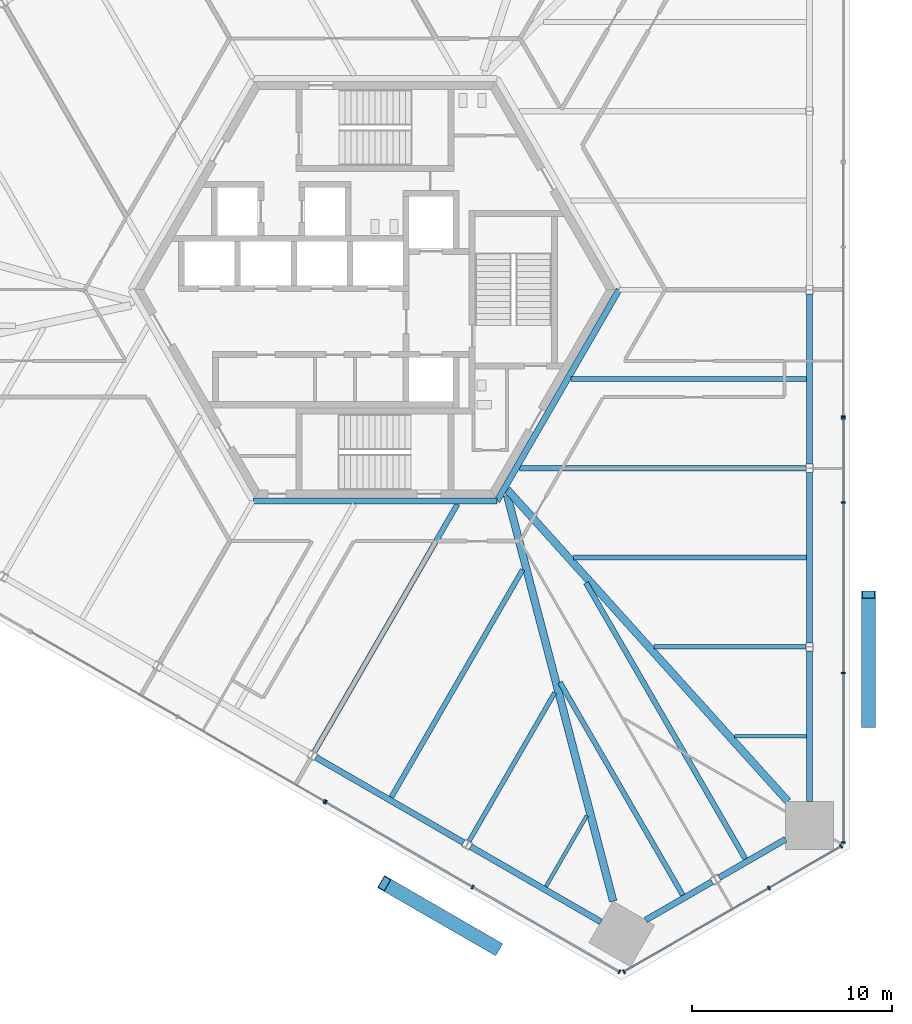
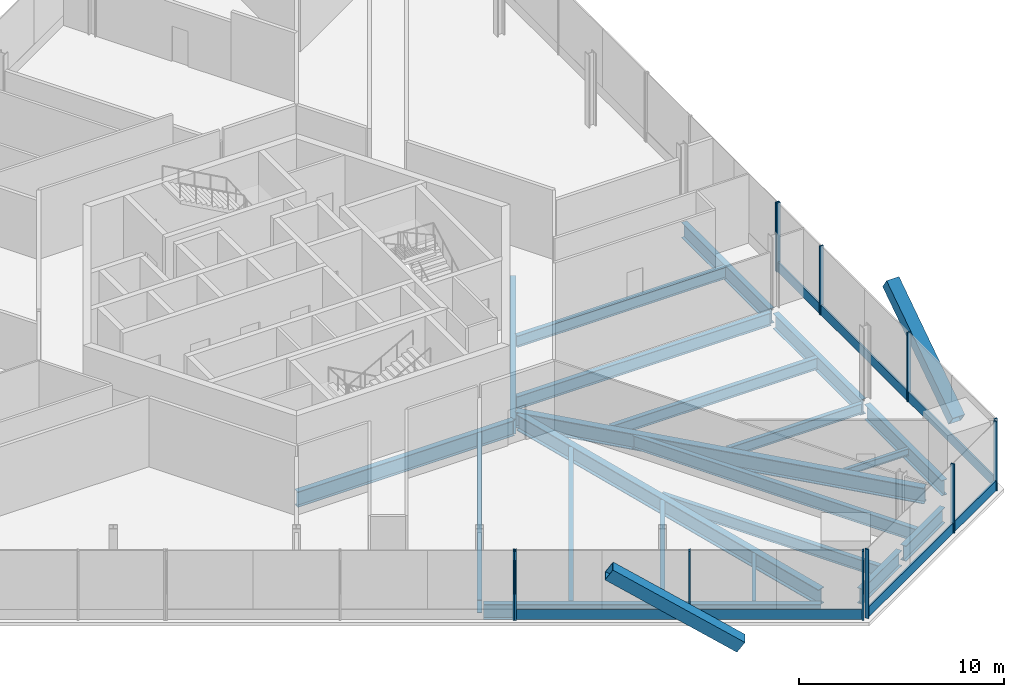
# One storey, part 4 of 16: 22 beams, 21 members, 5 elements without a shape of their own.
"""IFC4 building model written with IfcOpenShell, lengths in metres."""

from ifc_helpers import new_model, si_unit, direction, frame, origin, origin_2d, place, context, subcontext, project, spatial, rectangle, hollow_rectangle, i_section, extrude, source, transform, mapped, material, material_profile, profile_set, type_object, element, aggregate, save


model = new_model("IFC4")

# Units and contexts
model_context = context("Model", 3, precision=1e-05, world=origin(), true_north=direction((0.0, 1.0)))
body_context = subcontext(model_context, "Body", "Model", "MODEL_VIEW")
ifc_project = project(units=[si_unit("LENGTHUNIT", "METRE"), si_unit("AREAUNIT", "SQUARE_METRE"), si_unit("VOLUMEUNIT", "CUBIC_METRE"), si_unit("PLANEANGLEUNIT", "RADIAN"), si_unit("MASSUNIT", "GRAM", prefix="KILO")], contexts=[model_context])

# Site, building, storey
site_placement = place(None, origin())
site = spatial("IfcSite", under=ifc_project, at=site_placement, CompositionType="ELEMENT")
building_placement = place(site_placement, origin())
building = spatial("IfcBuilding", under=site, at=building_placement, Name="Triune Harvest Tower", CompositionType="ELEMENT")
storey_placement = place(building_placement, frame((0.0, 0.0, 20.300048828125)))
storey = spatial("IfcBuildingStorey", under=building, at=storey_placement, Name="L04", CompositionType="ELEMENT", Elevation=20.300048828125)

# Beams
ifc_material_1 = material(Name="Steel ASTM A992 Gr 50", Category="steel")
ifc_material_profile_1 = material_profile(ifc_material_1, i_section(OverallWidth=0.3046875, OverallDepth=0.914306640625, WebThickness=0.0166015625, FlangeThickness=0.02587890625, at=origin_2d()), Name="W36x160")
ifc_profile_set_1 = profile_set([ifc_material_profile_1], Name="Steel ASTM A992 Gr 50")
beam_type_1 = type_object("IfcBeamType", Name="CG-1 Core ring girder W36x160", PredefinedType="BEAM", material=ifc_profile_set_1)
shared_shape_1 = source(origin(), body_context, "Body", "SweptSolid", [
    extrude(i_section(OverallWidth=0.3046875, OverallDepth=0.914306640625, WebThickness=0.0166015625, FlangeThickness=0.02587890625, at=origin_2d()), origin(), (0.0, 0.0, 1.0), 12.176025390625),
])
beam_1_placement = place(storey_placement, frame((6.087890625, -10.544677734375, -0.6572265625), z_axis=(0.5000099932, 0.866019634131, 0.0), x_axis=(-0.866019634131, 0.5000099932, 0.0)))
element("IfcBeam", 1, at=beam_1_placement, inside=storey, type_object=beam_type_1, Name="beam/L04/CG6", PredefinedType="BEAM", context=body_context, shape_type="MappedRepresentation", body=[
    mapped(shared_shape_1, transform((0.0, 0.0, 0.0), scale=1.0)),
])
shared_shape_2 = source(origin(), body_context, "Body", "SweptSolid", [
    extrude(i_section(OverallWidth=0.3046875, OverallDepth=0.914306640625, WebThickness=0.0166015625, FlangeThickness=0.02587890625, at=origin_2d()), origin(), (0.0, 0.0, 1.0), 12.17578125),
])
beam_2_placement = place(storey_placement, frame((-6.087890625, -10.544677734375, -0.6572265625), z_axis=(1.0, 0.0, 0.0), x_axis=(0.0, 1.0, 0.0)))
element("IfcBeam", 2, at=beam_2_placement, inside=storey, type_object=beam_type_1, Name="beam/L04/CG5", PredefinedType="BEAM", context=body_context, shape_type="MappedRepresentation", body=[
    mapped(shared_shape_2, transform((0.0, 0.0, 0.0), scale=1.0)),
])
ifc_material_2 = material(Name="Steel ASTM A992 Gr 50", Category="steel")
ifc_material_profile_2 = material_profile(ifc_material_2, i_section(OverallWidth=0.383544921875, OverallDepth=0.9423828125, WebThickness=0.022216796875, FlangeThickness=0.039794921875, at=origin_2d()), Name="W36x232")
ifc_profile_set_2 = profile_set([ifc_material_profile_2], Name="Steel ASTM A992 Gr 50")
beam_type_2 = type_object("IfcBeamType", Name="HG-1 Hip girder W36x232", PredefinedType="BEAM", material=ifc_profile_set_2)
shared_shape_3 = source(origin(), body_context, "Body", "SweptSolid", [
    extrude(i_section(OverallWidth=0.383544921875, OverallDepth=0.9423828125, WebThickness=0.022216796875, FlangeThickness=0.039794921875, at=origin_2d()), origin(), (0.0, 0.0, 1.0), 20.933349609375),
])
beam_3_placement = place(storey_placement, frame((20.599365234375, -25.530029296875, -0.671142578125), z_axis=(-0.668990505388, 0.743270949049, 0.0), x_axis=(-0.743270949049, -0.668990505388, 0.0)))
element("IfcBeam", 3, at=beam_3_placement, inside=storey, type_object=beam_type_2, Name="beam/L04/HG1", PredefinedType="BEAM", context=body_context, shape_type="MappedRepresentation", body=[
    mapped(shared_shape_3, transform((0.0, 0.0, 0.0), scale=1.0)),
])
shared_shape_4 = source(origin(), body_context, "Body", "SweptSolid", [
    extrude(i_section(OverallWidth=0.383544921875, OverallDepth=0.9423828125, WebThickness=0.022216796875, FlangeThickness=0.039794921875, at=origin_2d()), origin(), (0.0, 0.0, 1.0), 20.931884765625),
])
beam_4_placement = place(storey_placement, frame((11.8828125, -30.50830078125, -0.671142578125), z_axis=(-0.252690148393, 0.967547254094, 0.0), x_axis=(-0.967547254094, -0.252690148393, 0.0)))
element("IfcBeam", 4, at=beam_4_placement, inside=storey, type_object=beam_type_2, Name="beam/L04/HG6", PredefinedType="BEAM", context=body_context, shape_type="MappedRepresentation", body=[
    mapped(shared_shape_4, transform((0.0, 0.0, 0.0), scale=1.0)),
])
ifc_material_3 = material(Name="Steel ASTM A992 Gr 50", Category="steel")
ifc_material_profile_3 = material_profile(ifc_material_3, i_section(OverallWidth=0.22900390625, OverallDepth=0.612060546875, WebThickness=0.011962890625, FlangeThickness=0.01953125, at=origin_2d()), Name="W24x84")
ifc_profile_set_3 = profile_set([ifc_material_profile_3], Name="Steel ASTM A992 Gr 50")
beam_type_3 = type_object("IfcBeamType", Name="JT-3 Floor joist W24x84", PredefinedType="JOIST", material=ifc_profile_set_3)
shared_shape_5 = source(origin(), body_context, "Body", "SweptSolid", [
    extrude(i_section(OverallWidth=0.22900390625, OverallDepth=0.612060546875, WebThickness=0.011962890625, FlangeThickness=0.01953125, at=origin_2d()), origin(), (0.0, 0.0, 1.0), 7.558349609375),
])
beam_5_placement = place(storey_placement, frame((21.476318359375, -17.820068359375, -0.506103515625), z_axis=(-1.0, 0.0, 0.0), x_axis=(0.0, -1.0, 0.0)))
element("IfcBeam", 5, at=beam_5_placement, inside=storey, type_object=beam_type_3, Name="beam/L04/JT2", PredefinedType="JOIST", context=body_context, shape_type="MappedRepresentation", body=[
    mapped(shared_shape_5, transform((0.0, 0.0, 0.0), scale=1.0)),
])
ifc_material_4 = material(Name="Steel ASTM A992 Gr 50", Category="steel")
ifc_material_profile_4 = material_profile(ifc_material_4, i_section(OverallWidth=0.2666015625, OverallDepth=0.7568359375, WebThickness=0.013916015625, FlangeThickness=0.019287109375, at=origin_2d()), Name="W30x108")
ifc_profile_set_4 = profile_set([ifc_material_profile_4], Name="Steel ASTM A992 Gr 50")
beam_type_4 = type_object("IfcBeamType", Name="JT-5 Floor joist W30x108", PredefinedType="JOIST", material=ifc_profile_set_4)
shared_shape_6 = source(origin(), body_context, "Body", "SweptSolid", [
    extrude(i_section(OverallWidth=0.2666015625, OverallDepth=0.7568359375, WebThickness=0.013916015625, FlangeThickness=0.019287109375, at=origin_2d()), origin(), (0.0, 0.0, 1.0), 14.2685546875),
])
for number, where, z_axis, x_axis, name in (
    (6, (21.476318359375, -8.909912109375, -0.57861328125), (-1.0, 0.0, 0.0), (0.0, -1.0, 0.0), "beam/L04/JT4"),
    (7, (-3.02197265625, -23.053955078125, -0.57861328125), (0.499999916269, 0.866025452127, 0.0), (-0.866025452127, 0.499999916269, 0.0), "beam/L04/JT34"),
):
    element("IfcBeam", number, at=place(storey_placement, frame(where, z_axis=z_axis, x_axis=x_axis)), inside=storey, type_object=beam_type_4, Name=name, PredefinedType="JOIST", context=body_context, shape_type="MappedRepresentation", body=[
        mapped(shared_shape_6, transform((0.0, 0.0, 0.0), scale=1.0)),
    ])
shared_shape_7 = source(origin(), body_context, "Body", "SweptSolid", [
    extrude(i_section(OverallWidth=0.22900390625, OverallDepth=0.612060546875, WebThickness=0.011962890625, FlangeThickness=0.01953125, at=origin_2d()), origin(), (0.0, 0.0, 1.0), 8.54736328125),
])
beam_6_placement = place(storey_placement, frame((4.6943359375, -27.509033203125, -0.506103515625), z_axis=(0.499994426748, 0.866028621479, 0.0), x_axis=(-0.866028621479, 0.499994426748, 0.0)))
element("IfcBeam", 8, at=beam_6_placement, inside=storey, type_object=beam_type_3, Name="beam/L04/JT36", PredefinedType="JOIST", context=body_context, shape_type="MappedRepresentation", body=[
    mapped(shared_shape_7, transform((0.0, 0.0, 0.0), scale=1.0)),
])
ifc_material_5 = material(Name="Steel ASTM A992 Gr 50", Category="steel")
ifc_material_profile_5 = material_profile(ifc_material_5, i_section(OverallWidth=0.3046875, OverallDepth=0.914306640625, WebThickness=0.0166015625, FlangeThickness=0.02587890625, at=origin_2d()), Name="W36x160")
ifc_profile_set_5 = profile_set([ifc_material_profile_5], Name="Steel ASTM A992 Gr 50")
beam_type_5 = type_object("IfcBeamType", Name="SB-1 Spandrel beam W36x160", PredefinedType="SPANDREL", material=ifc_profile_set_5)
shared_shape_8 = source(origin(), body_context, "Body", "SweptSolid", [
    extrude(i_section(OverallWidth=0.3046875, OverallDepth=0.914306640625, WebThickness=0.0166015625, FlangeThickness=0.02587890625, at=origin_2d()), origin(), (0.0, 0.0, 1.0), 7.508056640625),
])
beam_7_placement = place(storey_placement, frame((21.679443359375, -25.530029296875, -0.6572265625), z_axis=(0.0, 1.0, 0.0), x_axis=(-1.0, 0.0, 0.0)))
element("IfcBeam", 9, at=beam_7_placement, inside=storey, type_object=beam_type_5, Name="beam/L04/SB1", PredefinedType="SPANDREL", context=body_context, shape_type="MappedRepresentation", body=[
    mapped(shared_shape_8, transform((0.0, 0.0, 0.0), scale=1.0)),
])
shared_shape_9 = source(origin(), body_context, "Body", "SweptSolid", [
    extrude(i_section(OverallWidth=0.3046875, OverallDepth=0.914306640625, WebThickness=0.0166015625, FlangeThickness=0.02587890625, at=origin_2d()), origin(), (0.0, 0.0, 1.0), 8.50634765625),
])
beam_8_placement = place(storey_placement, frame((21.679443359375, -17.6181640625, -0.6572265625), z_axis=(0.0, 1.0, 0.0), x_axis=(-1.0, 0.0, 0.0)))
element("IfcBeam", 10, at=beam_8_placement, inside=storey, type_object=beam_type_5, Name="beam/L04/SB2", PredefinedType="SPANDREL", context=body_context, shape_type="MappedRepresentation", body=[
    mapped(shared_shape_9, transform((0.0, 0.0, 0.0), scale=1.0)),
])
shared_shape_10 = source(origin(), body_context, "Body", "SweptSolid", [
    extrude(i_section(OverallWidth=0.3046875, OverallDepth=0.914306640625, WebThickness=0.0166015625, FlangeThickness=0.02587890625, at=origin_2d()), origin(), (0.0, 0.0, 1.0), 8.506103515625),
])
for number, where, z_axis, x_axis, name in (
    (11, (21.679443359375, -8.7080078125, -0.6572265625), (0.0, 1.0, 0.0), (-1.0, 0.0, 0.0), "beam/L04/SB3"),
    (12, (-2.948486328125, -23.3310546875, -0.6572265625), (0.866030246746, -0.49999161165, 0.0), (0.49999161165, 0.866030246746, 0.0), "beam/L04/SB21"),
):
    element("IfcBeam", number, at=place(storey_placement, frame(where, z_axis=z_axis, x_axis=x_axis)), inside=storey, type_object=beam_type_5, Name=name, PredefinedType="SPANDREL", context=body_context, shape_type="MappedRepresentation", body=[
        mapped(shared_shape_10, transform((0.0, 0.0, 0.0), scale=1.0)),
    ])
shared_shape_11 = source(origin(), body_context, "Body", "SweptSolid", [
    extrude(i_section(OverallWidth=0.3046875, OverallDepth=0.914306640625, WebThickness=0.0166015625, FlangeThickness=0.02587890625, at=origin_2d()), origin(), (0.0, 0.0, 1.0), 3.822265625),
])
beam_9_placement = place(storey_placement, frame((17.169189453125, -29.333984375, -0.6572265625), z_axis=(0.866033487859, 0.499985997711, 0.0), x_axis=(-0.499985997711, 0.866033487859, 0.0)))
element("IfcBeam", 13, at=beam_9_placement, inside=storey, type_object=beam_type_5, Name="beam/L04/SB24", PredefinedType="SPANDREL", context=body_context, shape_type="MappedRepresentation", body=[
    mapped(shared_shape_11, transform((0.0, 0.0, 0.0), scale=1.0)),
])
shared_shape_12 = source(origin(), body_context, "Body", "SweptSolid", [
    extrude(i_section(OverallWidth=0.3046875, OverallDepth=0.914306640625, WebThickness=0.0166015625, FlangeThickness=0.02587890625, at=origin_2d()), origin(), (0.0, 0.0, 1.0), 3.822509765625),
])
beam_10_placement = place(storey_placement, frame((13.509033203125, -31.447265625, -0.6572265625), z_axis=(0.866005830769, 0.500033899925, 0.0), x_axis=(-0.500033899925, 0.866005830769, 0.0)))
element("IfcBeam", 14, at=beam_10_placement, inside=storey, type_object=beam_type_5, Name="beam/L04/SB23", PredefinedType="SPANDREL", context=body_context, shape_type="MappedRepresentation", body=[
    mapped(shared_shape_12, transform((0.0, 0.0, 0.0), scale=1.0)),
])
shared_shape_13 = source(origin(), body_context, "Body", "SweptSolid", [
    extrude(i_section(OverallWidth=0.3046875, OverallDepth=0.914306640625, WebThickness=0.0166015625, FlangeThickness=0.02587890625, at=origin_2d()), origin(), (0.0, 0.0, 1.0), 7.50830078125),
])
beam_11_placement = place(storey_placement, frame((4.767578125, -27.785888671875, -0.6572265625), z_axis=(0.866027474485, -0.499996413425, 0.0), x_axis=(0.499996413425, 0.866027474485, 0.0)))
element("IfcBeam", 15, at=beam_11_placement, inside=storey, type_object=beam_type_5, Name="beam/L04/SB22", PredefinedType="SPANDREL", context=body_context, shape_type="MappedRepresentation", body=[
    mapped(shared_shape_13, transform((0.0, 0.0, 0.0), scale=1.0)),
])
ifc_material_6 = material(Name="Steel ASTM A992 Gr 50", Category="steel")
ifc_material_profile_6 = material_profile(ifc_material_6, i_section(OverallWidth=0.180908203125, OverallDepth=0.41650390625, WebThickness=0.010986328125, FlangeThickness=0.01806640625, at=origin_2d()), Name="W16x57")
ifc_profile_set_6 = profile_set([ifc_material_profile_6], Name="Steel ASTM A992 Gr 50")
beam_type_6 = type_object("IfcBeamType", Name="JT-1 Floor joist W16x57", PredefinedType="JOIST", material=ifc_profile_set_6)
shared_shape_14 = source(origin(), body_context, "Body", "SweptSolid", [
    extrude(i_section(OverallWidth=0.180908203125, OverallDepth=0.41650390625, WebThickness=0.010986328125, FlangeThickness=0.01806640625, at=origin_2d()), origin(), (0.0, 0.0, 1.0), 3.599365234375),
])
beam_12_placement = place(storey_placement, frame((21.527099609375, -22.27490234375, -0.408447265625), z_axis=(-1.0, 0.0, 0.0), x_axis=(0.0, -1.0, 0.0)))
element("IfcBeam", 16, at=beam_12_placement, inside=storey, type_object=beam_type_6, Name="beam/L04/JT1", PredefinedType="JOIST", context=body_context, shape_type="MappedRepresentation", body=[
    mapped(shared_shape_14, transform((0.0, 0.0, 0.0), scale=1.0)),
])
ifc_material_7 = material(Name="Steel ASTM A992 Gr 50", Category="steel")
ifc_material_profile_7 = material_profile(ifc_material_7, i_section(OverallWidth=0.253662109375, OverallDepth=0.683349609375, WebThickness=0.012451171875, FlangeThickness=0.01904296875, at=origin_2d()), Name="W27x94")
ifc_profile_set_7 = profile_set([ifc_material_profile_7], Name="Steel ASTM A992 Gr 50")
beam_type_7 = type_object("IfcBeamType", Name="JT-4 Floor joist W27x94", PredefinedType="JOIST", material=ifc_profile_set_7)
shared_shape_15 = source(origin(), body_context, "Body", "SweptSolid", [
    extrude(i_section(OverallWidth=0.253662109375, OverallDepth=0.683349609375, WebThickness=0.012451171875, FlangeThickness=0.01904296875, at=origin_2d()), origin(), (0.0, 0.0, 1.0), 11.619140625),
])
beam_13_placement = place(storey_placement, frame((21.527099609375, -13.364990234375, -0.541748046875), z_axis=(-1.0, 0.0, 0.0), x_axis=(0.0, -1.0, 0.0)))
element("IfcBeam", 17, at=beam_13_placement, inside=storey, type_object=beam_type_7, Name="beam/L04/JT3", PredefinedType="JOIST", context=body_context, shape_type="MappedRepresentation", body=[
    mapped(shared_shape_15, transform((0.0, 0.0, 0.0), scale=1.0)),
])
shared_shape_16 = source(origin(), body_context, "Body", "SweptSolid", [
    extrude(i_section(OverallWidth=0.253662109375, OverallDepth=0.683349609375, WebThickness=0.012451171875, FlangeThickness=0.01904296875, at=origin_2d()), origin(), (0.0, 0.0, 1.0), 11.747314453125),
])
beam_14_placement = place(storey_placement, frame((21.527099609375, -4.455078125, -0.541748046875), z_axis=(-1.0, 0.0, 0.0), x_axis=(0.0, -1.0, 0.0)))
element("IfcBeam", 18, at=beam_14_placement, inside=storey, type_object=beam_type_7, Name="beam/L04/JT5", PredefinedType="JOIST", context=body_context, shape_type="MappedRepresentation", body=[
    mapped(shared_shape_16, transform((0.0, 0.0, 0.0), scale=1.0)),
])
shared_shape_17 = source(origin(), body_context, "Body", "SweptSolid", [
    extrude(i_section(OverallWidth=0.253662109375, OverallDepth=0.683349609375, WebThickness=0.012451171875, FlangeThickness=0.01904296875, at=origin_2d()), origin(), (0.0, 0.0, 1.0), 13.110107421875),
])
beam_15_placement = place(storey_placement, frame((0.810791015625, -25.325439453125, -0.541748046875), z_axis=(0.500012613137, 0.866018121464, 0.0), x_axis=(-0.866018121464, 0.500012613137, 0.0)))
element("IfcBeam", 19, at=beam_15_placement, inside=storey, type_object=beam_type_7, Name="beam/L04/JT35", PredefinedType="JOIST", context=body_context, shape_type="MappedRepresentation", body=[
    mapped(shared_shape_17, transform((0.0, 0.0, 0.0), scale=1.0)),
])
shared_shape_18 = source(origin(), body_context, "Body", "SweptSolid", [
    extrude(i_section(OverallWidth=0.180908203125, OverallDepth=0.41650390625, WebThickness=0.010986328125, FlangeThickness=0.01806640625, at=origin_2d()), origin(), (0.0, 0.0, 1.0), 4.08642578125),
])
beam_16_placement = place(storey_placement, frame((8.527099609375, -29.780517578125, -0.408447265625), z_axis=(0.500013794443, 0.866017439413, 0.0), x_axis=(-0.866017439413, 0.500013794443, 0.0)))
element("IfcBeam", 20, at=beam_16_placement, inside=storey, type_object=beam_type_6, Name="beam/L04/JT37", PredefinedType="JOIST", context=body_context, shape_type="MappedRepresentation", body=[
    mapped(shared_shape_18, transform((0.0, 0.0, 0.0), scale=1.0)),
])
shared_shape_19 = source(origin(), body_context, "Body", "SweptSolid", [
    extrude(i_section(OverallWidth=0.253662109375, OverallDepth=0.683349609375, WebThickness=0.012451171875, FlangeThickness=0.01904296875, at=origin_2d()), origin(), (0.0, 0.0, 1.0), 12.2509765625),
])
beam_17_placement = place(storey_placement, frame((15.3564453125, -30.20458984375, -0.541748046875), z_axis=(-0.500001335473, 0.866024632748, 0.0), x_axis=(-0.866024632748, -0.500001335473, 0.0)))
element("IfcBeam", 21, at=beam_17_placement, inside=storey, type_object=beam_type_7, Name="beam/L04/JT38", PredefinedType="JOIST", context=body_context, shape_type="MappedRepresentation", body=[
    mapped(shared_shape_19, transform((0.0, 0.0, 0.0), scale=1.0)),
])
shared_shape_20 = source(origin(), body_context, "Body", "SweptSolid", [
    extrude(i_section(OverallWidth=0.2666015625, OverallDepth=0.7568359375, WebThickness=0.013916015625, FlangeThickness=0.019287109375, at=origin_2d()), origin(), (0.0, 0.0, 1.0), 15.90771484375),
])
beam_18_placement = place(storey_placement, frame((18.479736328125, -28.4013671875, -0.57861328125), z_axis=(-0.499996565981, 0.866027386407, 0.0), x_axis=(-0.866027386407, -0.499996565981, 0.0)))
element("IfcBeam", 22, at=beam_18_placement, inside=storey, type_object=beam_type_4, Name="beam/L04/JT39", PredefinedType="JOIST", context=body_context, shape_type="MappedRepresentation", body=[
    mapped(shared_shape_20, transform((0.0, 0.0, 0.0), scale=1.0)),
])

# Members
ifc_material_8 = material(Name="Steel ASTM A572 Gr 50", Category="steel")
ifc_material_profile_8 = material_profile(ifc_material_8, hollow_rectangle(XDim=0.699951171875, YDim=0.699951171875, WallThickness=0.0400390625, at=origin_2d()), Name="Box 700x700x40")
ifc_profile_set_8 = profile_set([ifc_material_profile_8], Name="Steel ASTM A572 Gr 50")
member_type_1 = type_object("IfcMemberType", Name="BR-1 Brace Box 700x700x40", PredefinedType="BRACE", material=ifc_profile_set_8)
shared_shape_21 = source(origin(), body_context, "Body", "SweptSolid", [
    extrude(hollow_rectangle(XDim=0.699951171875, YDim=0.699951171875, WallThickness=0.0400390625, at=origin_2d()), origin(), (0.0, 0.0, 1.0), 7.728271484375),
])
member_1_placement = place(storey_placement, frame((24.621337890625, -21.63720703125, 0.0), z_axis=(0.0, 0.830916174562, 0.55639761938), x_axis=(-1.0, 0.0, 0.0)))
element("IfcMember", 23, at=member_1_placement, inside=storey, type_object=member_type_1, Name="brace/B1-F1/d1/2", PredefinedType="BRACE", context=body_context, shape_type="MappedRepresentation", body=[
    mapped(shared_shape_21, transform((0.0, 0.0, 0.0), scale=1.0)),
])
shared_shape_22 = source(origin(), body_context, "Body", "SweptSolid", [
    extrude(hollow_rectangle(XDim=0.699951171875, YDim=0.699951171875, WallThickness=0.0400390625, at=origin_2d()), origin(), (0.0, 0.0, 1.0), 7.728515625),
])
member_2_placement = place(storey_placement, frame((6.02783203125, -32.834228515625, 0.0), z_axis=(-0.719604017031, 0.415462336786, 0.556382157681), x_axis=(-0.499998884236, -0.86602604797, 0.0)))
element("IfcMember", 24, at=member_2_placement, inside=storey, type_object=member_type_1, Name="brace/B1-F5/d2/2", PredefinedType="BRACE", context=body_context, shape_type="MappedRepresentation", body=[
    mapped(shared_shape_22, transform((0.0, 0.0, 0.0), scale=1.0)),
])

# Curtain wall, members
ifc_material_9 = material(Name="Aluminium bronze anodised", Category="aluminium")
curtain_wall_type_1 = type_object("IfcCurtainWallType", Name="CW-3 Farm floor curtain wall", PredefinedType="NOTDEFINED", material=ifc_material_9)
curtain_wall_1_placement = place(storey_placement, origin())
curtain_wall_1 = element("IfcCurtainWall", 25, at=curtain_wall_1_placement, inside=storey, type_object=curtain_wall_type_1, Name="CW-3 B1-F6 L04 run 1")
ifc_material_10 = material(Name="Aluminium bronze anodised", Category="aluminium")
ifc_material_profile_9 = material_profile(ifc_material_10, rectangle(XDim=0.090087890625, YDim=0.60009765625, at=origin_2d()), Name="TR-3 transom 90 x 600")
ifc_profile_set_9 = profile_set([ifc_material_profile_9], Name="Aluminium bronze anodised")
member_type_2 = type_object("IfcMemberType", Name="TR-3 transom 90 x 600", PredefinedType="USERDEFINED", material=ifc_profile_set_9)
shared_shape_23 = source(origin(), body_context, "Body", "SweptSolid", [
    extrude(rectangle(XDim=0.090087890625, YDim=0.60009765625, at=origin_2d()), origin(), (0.0, 0.0, 1.0), 4.077880859375),
])
member_3_placement = place(storey_placement, frame((19.692626953125, -29.830810546875, 0.300048828125), z_axis=(0.86600911372, 0.500028214158, 0.0), x_axis=(-0.500028214158, 0.86600911372, 0.0)))
member_3 = element("IfcMember", 26, at=member_3_placement, type_object=member_type_2, Name="CW-3 transom B1-F6 1.2", ObjectType="TRANSOM", PredefinedType="USERDEFINED", context=body_context, shape_type="MappedRepresentation", body=[
    mapped(shared_shape_23, transform((0.0, 0.0, 0.0), scale=1.0)),
])
shared_shape_24 = source(origin(), body_context, "Body", "SweptSolid", [
    extrude(rectangle(XDim=0.090087890625, YDim=0.60009765625, at=origin_2d()), origin(), (0.0, 0.0, 1.0), 8.275634765625),
])
member_4_placement = place(storey_placement, frame((12.456298828125, -34.008544921875, 0.300048828125), z_axis=(0.866034275465, 0.499984633485, 0.0), x_axis=(-0.499984633485, 0.866034275465, 0.0)))
member_4 = element("IfcMember", 27, at=member_4_placement, type_object=member_type_2, Name="CW-3 transom B1-F6 1.1", ObjectType="TRANSOM", PredefinedType="USERDEFINED", context=body_context, shape_type="MappedRepresentation", body=[
    mapped(shared_shape_24, transform((0.0, 0.0, 0.0), scale=1.0)),
])

ifc_material_11 = material(Name="Aluminium bronze anodised", Category="aluminium")
curtain_wall_type_2 = type_object("IfcCurtainWallType", Name="CW-8 Farm floor curtain wall with insulated spandrel infill", PredefinedType="NOTDEFINED", material=ifc_material_11)
curtain_wall_2_placement = place(storey_placement, origin())
curtain_wall_2 = element("IfcCurtainWall", 28, at=curtain_wall_2_placement, inside=storey, type_object=curtain_wall_type_2, Name="CW-8 B1-F1 L04 run 1")
ifc_material_12 = material(Name="Aluminium bronze anodised", Category="aluminium")
ifc_material_profile_10 = material_profile(ifc_material_12, rectangle(XDim=0.199951171875, YDim=0.080078125, at=origin_2d()), Name="MU-3 mullion 80 x 200")
ifc_profile_set_10 = profile_set([ifc_material_profile_10], Name="Aluminium bronze anodised")
member_type_3 = type_object("IfcMemberType", Name="MU-3 mullion 80 x 200", PredefinedType="MULLION", material=ifc_profile_set_10)
shared_shape_25 = source(origin(), body_context, "Body", "SweptSolid", [
    extrude(rectangle(XDim=0.199951171875, YDim=0.080078125, at=origin_2d()), origin(), (0.0, 0.0, 1.0), 4.099853515625),
])
member_5_placement = place(storey_placement, frame((23.371337890625, -27.576904296875, 0.0), z_axis=(0.0, 0.0, 1.0), x_axis=(-1.0, 0.0, 0.0)))
member_5 = element("IfcMember", 29, at=member_5_placement, type_object=member_type_3, Name="CW-8 mullion B1-F1 1.1", PredefinedType="MULLION", context=body_context, shape_type="MappedRepresentation", body=[
    mapped(shared_shape_25, transform((0.0, 0.0, 0.0), scale=1.0)),
])
member_6_placement = place(storey_placement, frame((23.371337890625, -19.119384765625, 0.0), z_axis=(0.0, 0.0, 1.0), x_axis=(-1.0, 0.0, 0.0)))
member_6 = element("IfcMember", 30, at=member_6_placement, type_object=member_type_3, Name="CW-8 mullion B1-F1 1.3", PredefinedType="MULLION", context=body_context, shape_type="MappedRepresentation", body=[
    mapped(shared_shape_25, transform((0.0, 0.0, 0.0), scale=1.0)),
])
member_7_placement = place(storey_placement, frame((23.371337890625, -10.621826171875, 0.0), z_axis=(0.0, 0.0, 1.0), x_axis=(-1.0, 0.0, 0.0)))
member_7 = element("IfcMember", 31, at=member_7_placement, type_object=member_type_3, Name="CW-8 mullion B1-F1 1.5", PredefinedType="MULLION", context=body_context, shape_type="MappedRepresentation", body=[
    mapped(shared_shape_25, transform((0.0, 0.0, 0.0), scale=1.0)),
])
member_8_placement = place(storey_placement, frame((23.371337890625, -6.4130859375, 0.0), z_axis=(0.0, 0.0, 1.0), x_axis=(-1.0, 0.0, 0.0)))
member_8 = element("IfcMember", 32, at=member_8_placement, type_object=member_type_3, Name="CW-8 mullion B1-F1 1.6", PredefinedType="MULLION", context=body_context, shape_type="MappedRepresentation", body=[
    mapped(shared_shape_25, transform((0.0, 0.0, 0.0), scale=1.0)),
])

# Curtain wall, member
curtain_wall_3_placement = place(storey_placement, origin())
curtain_wall_3 = element("IfcCurtainWall", 33, at=curtain_wall_3_placement, inside=storey, type_object=curtain_wall_type_1, Name="CW-3 B1-F1 L04 run 1001")
member_9_placement = place(storey_placement, frame((23.371337890625, -6.3330078125, 0.0), z_axis=(0.0, 0.0, 1.0), x_axis=(-1.0, 0.0, 0.0)))
member_9 = element("IfcMember", 34, at=member_9_placement, type_object=member_type_3, Name="CW-3 mullion B1-F1 1001.1", PredefinedType="MULLION", context=body_context, shape_type="MappedRepresentation", body=[
    mapped(shared_shape_25, transform((0.0, 0.0, 0.0), scale=1.0)),
])
aggregate(curtain_wall_3, [member_9])

curtain_wall_4_placement = place(storey_placement, origin())
curtain_wall_4 = element("IfcCurtainWall", 35, at=curtain_wall_4_placement, inside=storey, type_object=curtain_wall_type_1, Name="CW-3 B1-F5 L04 run 1001")
member_10_placement = place(storey_placement, frame((-2.521484375, -25.531005859375, 0.0), z_axis=(0.0, 0.0, 1.0), x_axis=(0.500000044272, 0.866025378224, 0.0)))
member_10 = element("IfcMember", 36, at=member_10_placement, type_object=member_type_3, Name="CW-3 mullion B1-F5 1001.5", PredefinedType="MULLION", context=body_context, shape_type="MappedRepresentation", body=[
    mapped(shared_shape_25, transform((0.0, 0.0, 0.0), scale=1.0)),
])
aggregate(curtain_wall_4, [member_10])

# Curtain wall, members
curtain_wall_5_placement = place(storey_placement, origin())
curtain_wall_5 = element("IfcCurtainWall", 37, at=curtain_wall_5_placement, inside=storey, type_object=curtain_wall_type_2, Name="CW-8 B1-F5 L04 run 2001")
member_11_placement = place(storey_placement, frame((-2.4521484375, -25.571044921875, 0.0), z_axis=(0.0, 0.0, 1.0), x_axis=(0.500001122288, 0.86602475583, 0.0)))
member_11 = element("IfcMember", 38, at=member_11_placement, type_object=member_type_3, Name="CW-8 mullion B1-F5 2001.1", PredefinedType="MULLION", context=body_context, shape_type="MappedRepresentation", body=[
    mapped(shared_shape_25, transform((0.0, 0.0, 0.0), scale=1.0)),
])
member_12_placement = place(storey_placement, frame((4.8720703125, -29.7998046875, 0.0), z_axis=(0.0, 0.0, 1.0), x_axis=(0.500001122288, 0.86602475583, 0.0)))
member_12 = element("IfcMember", 39, at=member_12_placement, type_object=member_type_3, Name="CW-8 mullion B1-F5 2001.3", PredefinedType="MULLION", context=body_context, shape_type="MappedRepresentation", body=[
    mapped(shared_shape_25, transform((0.0, 0.0, 0.0), scale=1.0)),
])
member_13_placement = place(storey_placement, frame((12.196533203125, -34.028564453125, 0.0), z_axis=(0.0, 0.0, 1.0), x_axis=(0.500001122288, 0.86602475583, 0.0)))
member_13 = element("IfcMember", 40, at=member_13_placement, type_object=member_type_3, Name="CW-8 mullion B1-F5 2001.5", PredefinedType="MULLION", context=body_context, shape_type="MappedRepresentation", body=[
    mapped(shared_shape_25, transform((0.0, 0.0, 0.0), scale=1.0)),
])

# Member
member_14_placement = place(storey_placement, frame((12.421630859375, -34.028564453125, 0.0), z_axis=(0.0, 0.0, 1.0), x_axis=(-0.499998715149, 0.866026145592, 0.0)))
member_14 = element("IfcMember", 41, at=member_14_placement, type_object=member_type_3, Name="CW-3 mullion B1-F6 1.1", PredefinedType="MULLION", context=body_context, shape_type="MappedRepresentation", body=[
    mapped(shared_shape_25, transform((0.0, 0.0, 0.0), scale=1.0)),
])

member_15_placement = place(storey_placement, frame((19.657958984375, -29.850830078125, 0.0), z_axis=(0.0, 0.0, 1.0), x_axis=(-0.499998715149, 0.866026145592, 0.0)))
member_15 = element("IfcMember", 42, at=member_15_placement, type_object=member_type_3, Name="CW-3 mullion B1-F6 1.3", PredefinedType="MULLION", context=body_context, shape_type="MappedRepresentation", body=[
    mapped(shared_shape_25, transform((0.0, 0.0, 0.0), scale=1.0)),
])

member_16_placement = place(storey_placement, frame((23.2587890625, -27.771728515625, 0.0), z_axis=(0.0, 0.0, 1.0), x_axis=(-0.499998715149, 0.866026145592, 0.0)))
member_16 = element("IfcMember", 43, at=member_16_placement, type_object=member_type_3, Name="CW-3 mullion B1-F6 1.4", PredefinedType="MULLION", context=body_context, shape_type="MappedRepresentation", body=[
    mapped(shared_shape_25, transform((0.0, 0.0, 0.0), scale=1.0)),
])

aggregate(curtain_wall_1, [member_14, member_15, member_16, member_4, member_3])

shared_shape_26 = source(origin(), body_context, "Body", "SweptSolid", [
    extrude(rectangle(XDim=0.090087890625, YDim=0.60009765625, at=origin_2d()), origin(), (0.0, 0.0, 1.0), 8.37744140625),
])
member_17_placement = place(storey_placement, frame((23.371337890625, -27.536865234375, 0.300048828125), z_axis=(0.0, 1.0, 0.0), x_axis=(-1.0, 0.0, 0.0)))
member_17 = element("IfcMember", 44, at=member_17_placement, type_object=member_type_2, Name="CW-8 transom B1-F1 1.1", ObjectType="TRANSOM", PredefinedType="USERDEFINED", context=body_context, shape_type="MappedRepresentation", body=[
    mapped(shared_shape_26, transform((0.0, 0.0, 0.0), scale=1.0)),
])

member_18_placement = place(storey_placement, frame((-2.417724609375, -25.591064453125, 0.300048828125), z_axis=(0.866026892193, -0.499997421992, 0.0), x_axis=(0.499997421992, 0.866026892193, 0.0)))
member_18 = element("IfcMember", 45, at=member_18_placement, type_object=member_type_2, Name="CW-8 transom B1-F5 2001.1", ObjectType="TRANSOM", PredefinedType="USERDEFINED", context=body_context, shape_type="MappedRepresentation", body=[
    mapped(shared_shape_26, transform((0.0, 0.0, 0.0), scale=1.0)),
])

member_19_placement = place(storey_placement, frame((4.90673828125, -29.81982421875, 0.300048828125), z_axis=(0.866026892193, -0.499997421992, 0.0), x_axis=(0.499997421992, 0.866026892193, 0.0)))
member_19 = element("IfcMember", 46, at=member_19_placement, type_object=member_type_2, Name="CW-8 transom B1-F5 2001.2", ObjectType="TRANSOM", PredefinedType="USERDEFINED", context=body_context, shape_type="MappedRepresentation", body=[
    mapped(shared_shape_26, transform((0.0, 0.0, 0.0), scale=1.0)),
])

aggregate(curtain_wall_5, [member_11, member_12, member_13, member_18, member_19])

shared_shape_27 = source(origin(), body_context, "Body", "SweptSolid", [
    extrude(rectangle(XDim=0.090087890625, YDim=0.60009765625, at=origin_2d()), origin(), (0.0, 0.0, 1.0), 8.41748046875),
])
member_20_placement = place(storey_placement, frame((23.371337890625, -19.079345703125, 0.300048828125), z_axis=(0.0, 1.0, 0.0), x_axis=(-1.0, 0.0, 0.0)))
member_20 = element("IfcMember", 47, at=member_20_placement, type_object=member_type_2, Name="CW-8 transom B1-F1 1.2", ObjectType="TRANSOM", PredefinedType="USERDEFINED", context=body_context, shape_type="MappedRepresentation", body=[
    mapped(shared_shape_27, transform((0.0, 0.0, 0.0), scale=1.0)),
])

shared_shape_28 = source(origin(), body_context, "Body", "SweptSolid", [
    extrude(rectangle(XDim=0.090087890625, YDim=0.60009765625, at=origin_2d()), origin(), (0.0, 0.0, 1.0), 4.128662109375),
])
member_21_placement = place(storey_placement, frame((23.371337890625, -10.581787109375, 0.300048828125), z_axis=(0.0, 1.0, 0.0), x_axis=(-1.0, 0.0, 0.0)))
member_21 = element("IfcMember", 48, at=member_21_placement, type_object=member_type_2, Name="CW-8 transom B1-F1 1.3", ObjectType="TRANSOM", PredefinedType="USERDEFINED", context=body_context, shape_type="MappedRepresentation", body=[
    mapped(shared_shape_28, transform((0.0, 0.0, 0.0), scale=1.0)),
])

aggregate(curtain_wall_2, [member_5, member_6, member_7, member_8, member_17, member_20, member_21])

save(model, "model.ifc")
